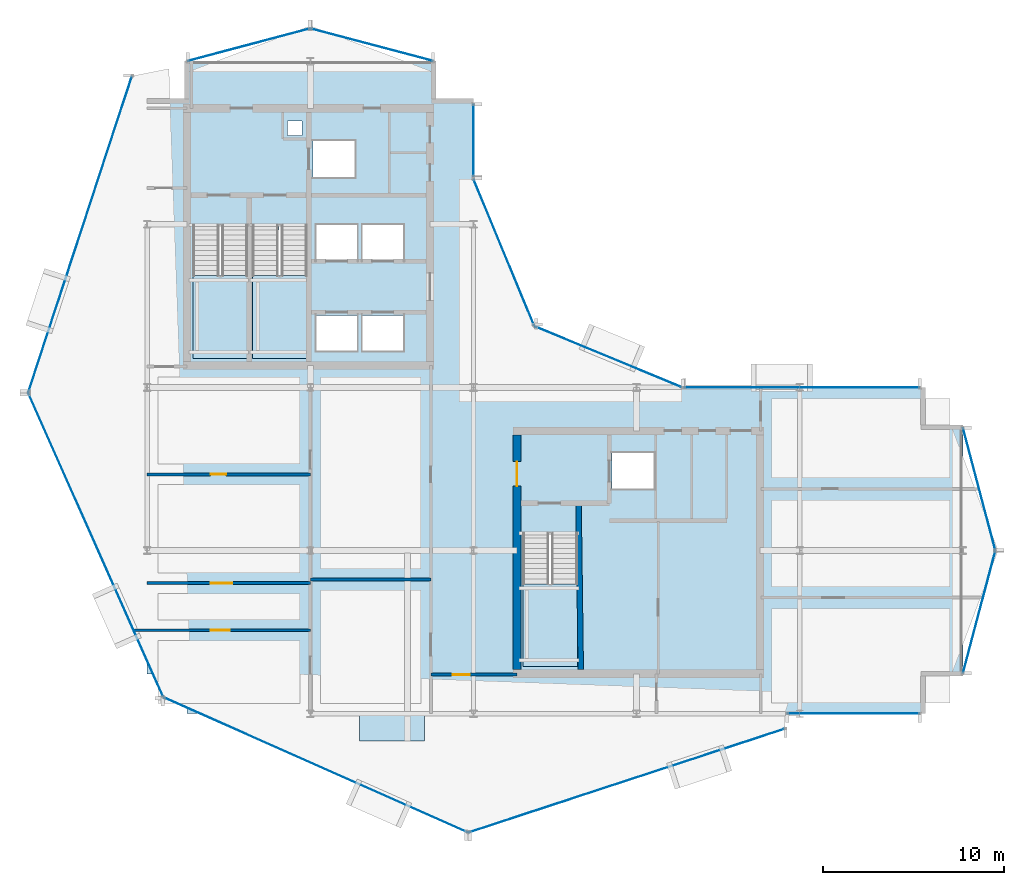
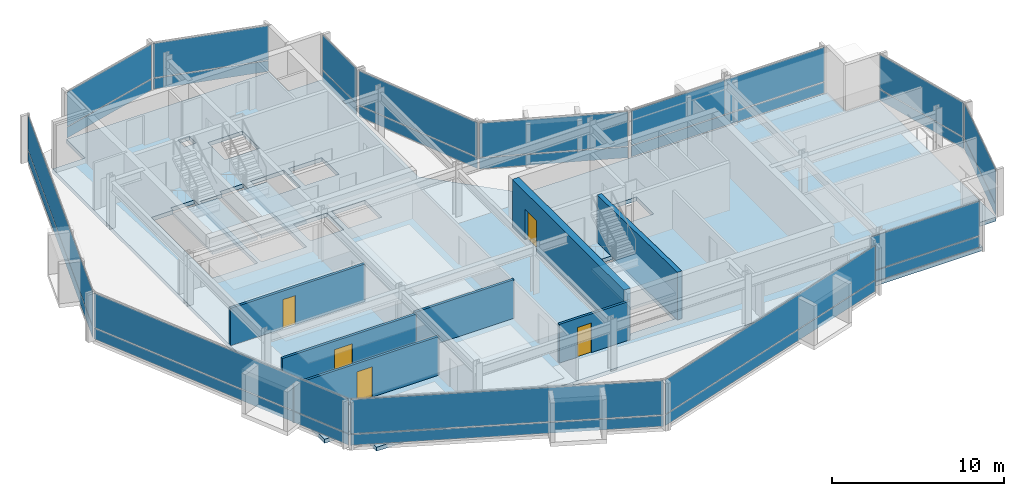
# One storey, part 19 of 27: 26 plates, 7 walls, 5 doors, 5 slabs, 5 openings, 16 elements without a shape of their own.
"""IFC4 building model written with IfcOpenShell, lengths in metres."""

from ifc_helpers import new_model, si_unit, direction, frame, frame_2d, origin, origin_2d, place, context, subcontext, project, spatial, polyline, rectangle, outline, extrude, material, layer, layer_set, type_object, element, fill, aggregate, save


model = new_model("IFC4")

# Units and contexts
model_context = context("Model", 3, precision=1e-05, world=origin(), true_north=direction((0.0, 1.0)))
body_context = subcontext(model_context, "Body", "Model", "MODEL_VIEW")
ifc_project = project(units=[si_unit("LENGTHUNIT", "METRE"), si_unit("AREAUNIT", "SQUARE_METRE"), si_unit("VOLUMEUNIT", "CUBIC_METRE"), si_unit("PLANEANGLEUNIT", "RADIAN"), si_unit("MASSUNIT", "GRAM", prefix="KILO")], contexts=[model_context])

# Site, building, storey
site_placement = place(None, origin())
site = spatial("IfcSite", under=ifc_project, at=site_placement, CompositionType="ELEMENT")
building_placement = place(site_placement, origin())
building = spatial("IfcBuilding", under=site, at=building_placement, Name="Solvaryn Broadcast Tower", CompositionType="ELEMENT")
storey_placement = place(building_placement, frame((0.0, 0.0, 232.10009765625)))
storey = spatial("IfcBuildingStorey", under=building, at=storey_placement, Name="L58", CompositionType="ELEMENT", Elevation=232.10009765625)

# Curtain wall, plates
ifc_material_1 = material(Name="Aluminium and Terracotta Unitised Curtain Wall", Category="masonry")
ifc_layer_1 = layer(ifc_material_1, 0.199951171875)
ifc_layer_set_1 = layer_set([ifc_layer_1], Name="CW-SYS2-LOWMID")
curtain_wall_type_1 = type_object("IfcCurtainWallType", Name="CW-SYS2-LOWMID", PredefinedType="NOTDEFINED", material=ifc_layer_set_1)
curtain_wall_1_placement = place(storey_placement, origin())
curtain_wall_1 = element("IfcCurtainWall", 1, at=curtain_wall_1_placement, inside=storey, type_object=curtain_wall_type_1, Name="L58 Curtain Wall DR1", PredefinedType="NOTDEFINED")
ifc_material_2 = material(Name="Kiln-Fired Architectural Terracotta Spandrel", Category="masonry")
ifc_layer_2 = layer(ifc_material_2, 0.048095703125)
ifc_layer_set_2 = layer_set([ifc_layer_2], Name="CW-PNL-TERRACOTTA")
plate_type = type_object("IfcPlateType", Name="CW-PNL-TERRACOTTA", PredefinedType="CURTAIN_PANEL", material=ifc_layer_set_2)
plate_1_placement = place(storey_placement, frame((5.298095703125, 35.444091796875, 0.06005859375), z_axis=(0.0, 0.0, 1.0), x_axis=(-0.311558717623, -0.950226902099, 0.0)))
plate_1 = element("IfcPlate", 2, at=plate_1_placement, type_object=plate_type, Name="CWS2 panel 1.1", PredefinedType="CURTAIN_PANEL", context=body_context, shape_type="SweptSolid", body=[
    extrude(rectangle(XDim=18.271484375, YDim=0.028076171875, at=origin_2d()), origin(), (0.0, 0.0, 1.0), 0.760009765625),
])
plate_2_placement = place(storey_placement, frame((5.298095703125, 35.444091796875, 0.8798828125), z_axis=(0.0, 0.0, 1.0), x_axis=(-0.311558717623, -0.950226902099, 0.0)))
plate_2 = element("IfcPlate", 3, at=plate_2_placement, type_object=plate_type, Name="CWS2 panel 1.2", PredefinedType="CURTAIN_PANEL", context=body_context, shape_type="SweptSolid", body=[
    extrude(rectangle(XDim=18.271484375, YDim=0.028076171875, at=origin_2d()), origin(), (0.0, 0.0, 1.0), 2.429931640625),
])
aggregate(curtain_wall_1, [plate_1, plate_2])

ifc_material_3 = material(Name="Aluminium and Terracotta Unitised Curtain Wall", Category="masonry")
ifc_layer_3 = layer(ifc_material_3, 0.239990234375)
ifc_layer_set_3 = layer_set([ifc_layer_3], Name="CW-SYS3-BAYBOX")
curtain_wall_type_2 = type_object("IfcCurtainWallType", Name="CW-SYS3-BAYBOX", PredefinedType="NOTDEFINED", material=ifc_layer_set_3)
curtain_wall_2_placement = place(storey_placement, origin())
curtain_wall_2 = element("IfcCurtainWall", 4, at=curtain_wall_2_placement, inside=storey, type_object=curtain_wall_type_2, Name="L58 Curtain Wall DR2", PredefinedType="NOTDEFINED")
plate_3_placement = place(storey_placement, frame((6.16552734375, 18.302001953125, 0.06005859375), z_axis=(0.0, 0.0, 1.0), x_axis=(0.405901337237, -0.913916902365, 0.0)))
plate_3 = element("IfcPlate", 5, at=plate_3_placement, type_object=plate_type, Name="CWS3 panel 1.1", PredefinedType="CURTAIN_PANEL", context=body_context, shape_type="SweptSolid", body=[
    extrude(rectangle(XDim=18.271240234375, YDim=0.028076171875, at=origin_2d()), origin(), (0.0, 0.0, 1.0), 0.760009765625),
])
plate_4_placement = place(storey_placement, frame((6.16552734375, 18.302001953125, 0.8798828125), z_axis=(0.0, 0.0, 1.0), x_axis=(0.405901337237, -0.913916902365, 0.0)))
plate_4 = element("IfcPlate", 6, at=plate_4_placement, type_object=plate_type, Name="CWS3 panel 1.2", PredefinedType="CURTAIN_PANEL", context=body_context, shape_type="SweptSolid", body=[
    extrude(rectangle(XDim=18.271240234375, YDim=0.028076171875, at=origin_2d()), origin(), (0.0, 0.0, 1.0), 2.429931640625),
])
aggregate(curtain_wall_2, [plate_3, plate_4])

curtain_wall_3_placement = place(storey_placement, origin())
curtain_wall_3 = element("IfcCurtainWall", 7, at=curtain_wall_3_placement, inside=storey, type_object=curtain_wall_type_1, Name="L58 Curtain Wall DR3", PredefinedType="NOTDEFINED")
plate_5_placement = place(storey_placement, frame((18.302001953125, 6.16552734375, 0.06005859375), z_axis=(0.0, 0.0, 1.0), x_axis=(0.913916902365, -0.405901337237, 0.0)))
plate_5 = element("IfcPlate", 8, at=plate_5_placement, type_object=plate_type, Name="CWS2 panel 1.1", PredefinedType="CURTAIN_PANEL", context=body_context, shape_type="SweptSolid", body=[
    extrude(rectangle(XDim=18.271240234375, YDim=0.028076171875, at=origin_2d()), origin(), (0.0, 0.0, 1.0), 0.760009765625),
])
plate_6_placement = place(storey_placement, frame((18.302001953125, 6.16552734375, 0.8798828125), z_axis=(0.0, 0.0, 1.0), x_axis=(0.913916902365, -0.405901337237, 0.0)))
plate_6 = element("IfcPlate", 9, at=plate_6_placement, type_object=plate_type, Name="CWS2 panel 1.2", PredefinedType="CURTAIN_PANEL", context=body_context, shape_type="SweptSolid", body=[
    extrude(rectangle(XDim=18.271240234375, YDim=0.028076171875, at=origin_2d()), origin(), (0.0, 0.0, 1.0), 2.429931640625),
])
aggregate(curtain_wall_3, [plate_5, plate_6])

curtain_wall_4_placement = place(storey_placement, origin())
curtain_wall_4 = element("IfcCurtainWall", 10, at=curtain_wall_4_placement, inside=storey, type_object=curtain_wall_type_1, Name="L58 Curtain Wall DR4", PredefinedType="NOTDEFINED")
plate_7_placement = place(storey_placement, frame((35.444091796875, 5.298095703125, 0.06005859375), z_axis=(0.0, 0.0, 1.0), x_axis=(0.950226902099, 0.311558717623, 0.0)))
plate_7 = element("IfcPlate", 11, at=plate_7_placement, type_object=plate_type, Name="CWS2 panel 1.1", PredefinedType="CURTAIN_PANEL", context=body_context, shape_type="SweptSolid", body=[
    extrude(rectangle(XDim=18.271484375, YDim=0.028076171875, at=origin_2d()), origin(), (0.0, 0.0, 1.0), 0.760009765625),
])
plate_8_placement = place(storey_placement, frame((35.444091796875, 5.298095703125, 0.8798828125), z_axis=(0.0, 0.0, 1.0), x_axis=(0.950226902099, 0.311558717623, 0.0)))
plate_8 = element("IfcPlate", 12, at=plate_8_placement, type_object=plate_type, Name="CWS2 panel 1.2", PredefinedType="CURTAIN_PANEL", context=body_context, shape_type="SweptSolid", body=[
    extrude(rectangle(XDim=18.271484375, YDim=0.028076171875, at=origin_2d()), origin(), (0.0, 0.0, 1.0), 2.429931640625),
])
aggregate(curtain_wall_4, [plate_7, plate_8])

curtain_wall_5_placement = place(storey_placement, origin())
curtain_wall_5 = element("IfcCurtainWall", 13, at=curtain_wall_5_placement, inside=storey, type_object=curtain_wall_type_1, Name="L58 Curtain Wall IV", PredefinedType="NOTDEFINED")
plate_9_placement = place(storey_placement, frame((27.0, 40.625, 0.06005859375), z_axis=(0.0, 0.0, 1.0), x_axis=(0.0, -1.0, 0.0)))
plate_9 = element("IfcPlate", 14, at=plate_9_placement, type_object=plate_type, Name="CWS2 panel 1.1", PredefinedType="CURTAIN_PANEL", context=body_context, shape_type="SweptSolid", body=[
    extrude(rectangle(XDim=3.929931640625, YDim=0.028076171875, at=origin_2d()), origin(), (0.0, 0.0, 1.0), 0.760009765625),
])
plate_10_placement = place(storey_placement, frame((27.0, 40.625, 0.8798828125), z_axis=(0.0, 0.0, 1.0), x_axis=(0.0, -1.0, 0.0)))
plate_10 = element("IfcPlate", 15, at=plate_10_placement, type_object=plate_type, Name="CWS2 panel 1.2", PredefinedType="CURTAIN_PANEL", context=body_context, shape_type="SweptSolid", body=[
    extrude(rectangle(XDim=3.929931640625, YDim=0.028076171875, at=origin_2d()), origin(), (0.0, 0.0, 1.0), 2.429931640625),
])
aggregate(curtain_wall_5, [plate_9, plate_10])

curtain_wall_6_placement = place(storey_placement, origin())
curtain_wall_6 = element("IfcCurtainWall", 16, at=curtain_wall_6_placement, inside=storey, type_object=curtain_wall_type_1, Name="L58 Curtain Wall CN1", PredefinedType="NOTDEFINED")
plate_11_placement = place(storey_placement, frame((34.43408203125, 28.68408203125, 0.06005859375), z_axis=(0.0, 0.0, 1.0), x_axis=(-0.923894983957, 0.382646127145, 0.0)))
plate_11 = element("IfcPlate", 17, at=plate_11_placement, type_object=plate_type, Name="CWS2 panel 1.1", PredefinedType="CURTAIN_PANEL", context=body_context, shape_type="SweptSolid", body=[
    extrude(rectangle(XDim=8.681884765625, YDim=0.028076171875, at=origin_2d()), origin(), (0.0, 0.0, 1.0), 0.760009765625),
])
plate_12_placement = place(storey_placement, frame((34.43408203125, 28.68408203125, 0.8798828125), z_axis=(0.0, 0.0, 1.0), x_axis=(-0.923894983957, 0.382646127145, 0.0)))
plate_12 = element("IfcPlate", 18, at=plate_12_placement, type_object=plate_type, Name="CWS2 panel 1.2", PredefinedType="CURTAIN_PANEL", context=body_context, shape_type="SweptSolid", body=[
    extrude(rectangle(XDim=8.681884765625, YDim=0.028076171875, at=origin_2d()), origin(), (0.0, 0.0, 1.0), 2.429931640625),
])
aggregate(curtain_wall_6, [plate_11, plate_12])

curtain_wall_7_placement = place(storey_placement, origin())
curtain_wall_7 = element("IfcCurtainWall", 19, at=curtain_wall_7_placement, inside=storey, type_object=curtain_wall_type_1, Name="L58 Curtain Wall CN2", PredefinedType="NOTDEFINED")
plate_13_placement = place(storey_placement, frame((28.68408203125, 34.43408203125, 0.06005859375), z_axis=(0.0, 0.0, 1.0), x_axis=(-0.382646127145, 0.923894983957, 0.0)))
plate_13 = element("IfcPlate", 20, at=plate_13_placement, type_object=plate_type, Name="CWS2 panel 1.1", PredefinedType="CURTAIN_PANEL", context=body_context, shape_type="SweptSolid", body=[
    extrude(rectangle(XDim=8.681884765625, YDim=0.028076171875, at=origin_2d()), origin(), (0.0, 0.0, 1.0), 0.760009765625),
])
plate_14_placement = place(storey_placement, frame((28.68408203125, 34.43408203125, 0.8798828125), z_axis=(0.0, 0.0, 1.0), x_axis=(-0.382646127145, 0.923894983957, 0.0)))
plate_14 = element("IfcPlate", 21, at=plate_14_placement, type_object=plate_type, Name="CWS2 panel 1.2", PredefinedType="CURTAIN_PANEL", context=body_context, shape_type="SweptSolid", body=[
    extrude(rectangle(XDim=8.681884765625, YDim=0.028076171875, at=origin_2d()), origin(), (0.0, 0.0, 1.0), 2.429931640625),
])
aggregate(curtain_wall_7, [plate_13, plate_14])

curtain_wall_8_placement = place(storey_placement, origin())
curtain_wall_8 = element("IfcCurtainWall", 22, at=curtain_wall_8_placement, inside=storey, type_object=curtain_wall_type_1, Name="L58 Curtain Wall S2", PredefinedType="NOTDEFINED")
plate_15_placement = place(storey_placement, frame((47.966064453125, 9.0, 0.06005859375), z_axis=(0.0, 0.0, 1.0), x_axis=(1.0, 0.0, 0.0)))
plate_15 = element("IfcPlate", 23, at=plate_15_placement, type_object=plate_type, Name="CWS2 panel 1.1", PredefinedType="CURTAIN_PANEL", context=body_context, shape_type="SweptSolid", body=[
    extrude(rectangle(XDim=7.248046875, YDim=0.028076171875, at=origin_2d()), origin(), (0.0, 0.0, 1.0), 0.760009765625),
])
plate_16_placement = place(storey_placement, frame((47.966064453125, 9.0, 0.8798828125), z_axis=(0.0, 0.0, 1.0), x_axis=(1.0, 0.0, 0.0)))
plate_16 = element("IfcPlate", 24, at=plate_16_placement, type_object=plate_type, Name="CWS2 panel 1.2", PredefinedType="CURTAIN_PANEL", context=body_context, shape_type="SweptSolid", body=[
    extrude(rectangle(XDim=7.248046875, YDim=0.028076171875, at=origin_2d()), origin(), (0.0, 0.0, 1.0), 2.429931640625),
])
aggregate(curtain_wall_8, [plate_15, plate_16])

curtain_wall_9_placement = place(storey_placement, origin())
curtain_wall_9 = element("IfcCurtainWall", 25, at=curtain_wall_9_placement, inside=storey, type_object=curtain_wall_type_1, Name="L58 Curtain Wall NT1", PredefinedType="NOTDEFINED")
plate_17_placement = place(storey_placement, frame((21.39990234375, 45.89990234375, 0.06005859375), z_axis=(0.0, 0.0, 1.0), x_axis=(-0.966705227863, 0.25589256031, 0.0)))
plate_17 = element("IfcPlate", 26, at=plate_17_placement, type_object=plate_type, Name="CWS2 panel 1.1", PredefinedType="CURTAIN_PANEL", context=body_context, shape_type="SweptSolid", body=[
    extrude(rectangle(XDim=6.914306640625, YDim=0.028076171875, at=origin_2d()), origin(), (0.0, 0.0, 1.0), 0.760009765625),
])
plate_18_placement = place(storey_placement, frame((21.39990234375, 45.89990234375, 0.8798828125), z_axis=(0.0, 0.0, 1.0), x_axis=(-0.966705227863, 0.25589256031, 0.0)))
plate_18 = element("IfcPlate", 27, at=plate_18_placement, type_object=plate_type, Name="CWS2 panel 1.2", PredefinedType="CURTAIN_PANEL", context=body_context, shape_type="SweptSolid", body=[
    extrude(rectangle(XDim=6.914306640625, YDim=0.028076171875, at=origin_2d()), origin(), (0.0, 0.0, 1.0), 2.429931640625),
])
aggregate(curtain_wall_9, [plate_17, plate_18])

curtain_wall_10_placement = place(storey_placement, origin())
curtain_wall_10 = element("IfcCurtainWall", 28, at=curtain_wall_10_placement, inside=storey, type_object=curtain_wall_type_1, Name="L58 Curtain Wall NT2", PredefinedType="NOTDEFINED")
plate_19_placement = place(storey_placement, frame((14.60009765625, 45.89990234375, 0.06005859375), z_axis=(0.0, 0.0, 1.0), x_axis=(-0.966705227863, -0.25589256031, 0.0)))
plate_19 = element("IfcPlate", 29, at=plate_19_placement, type_object=plate_type, Name="CWS2 panel 1.1", PredefinedType="CURTAIN_PANEL", context=body_context, shape_type="SweptSolid", body=[
    extrude(rectangle(XDim=6.914306640625, YDim=0.028076171875, at=origin_2d()), origin(), (0.0, 0.0, 1.0), 0.760009765625),
])
plate_20_placement = place(storey_placement, frame((14.60009765625, 45.89990234375, 0.8798828125), z_axis=(0.0, 0.0, 1.0), x_axis=(-0.966705227863, -0.25589256031, 0.0)))
plate_20 = element("IfcPlate", 30, at=plate_20_placement, type_object=plate_type, Name="CWS2 panel 1.2", PredefinedType="CURTAIN_PANEL", context=body_context, shape_type="SweptSolid", body=[
    extrude(rectangle(XDim=6.914306640625, YDim=0.028076171875, at=origin_2d()), origin(), (0.0, 0.0, 1.0), 2.429931640625),
])
aggregate(curtain_wall_10, [plate_19, plate_20])

curtain_wall_11_placement = place(storey_placement, origin())
curtain_wall_11 = element("IfcCurtainWall", 31, at=curtain_wall_11_placement, inside=storey, type_object=curtain_wall_type_1, Name="L58 Curtain Wall ET1", PredefinedType="NOTDEFINED")
plate_21_placement = place(storey_placement, frame((54.89990234375, 21.39990234375, 0.06005859375), z_axis=(0.0, 0.0, 1.0), x_axis=(0.25589256031, -0.966705227863, 0.0)))
plate_21 = element("IfcPlate", 32, at=plate_21_placement, type_object=plate_type, Name="CWS2 panel 1.1", PredefinedType="CURTAIN_PANEL", context=body_context, shape_type="SweptSolid", body=[
    extrude(rectangle(XDim=6.914306640625, YDim=0.028076171875, at=origin_2d()), origin(), (0.0, 0.0, 1.0), 0.760009765625),
])
plate_22_placement = place(storey_placement, frame((54.89990234375, 21.39990234375, 0.8798828125), z_axis=(0.0, 0.0, 1.0), x_axis=(0.25589256031, -0.966705227863, 0.0)))
plate_22 = element("IfcPlate", 33, at=plate_22_placement, type_object=plate_type, Name="CWS2 panel 1.2", PredefinedType="CURTAIN_PANEL", context=body_context, shape_type="SweptSolid", body=[
    extrude(rectangle(XDim=6.914306640625, YDim=0.028076171875, at=origin_2d()), origin(), (0.0, 0.0, 1.0), 2.429931640625),
])
aggregate(curtain_wall_11, [plate_21, plate_22])

curtain_wall_12_placement = place(storey_placement, origin())
curtain_wall_12 = element("IfcCurtainWall", 34, at=curtain_wall_12_placement, inside=storey, type_object=curtain_wall_type_1, Name="L58 Curtain Wall ET2", PredefinedType="NOTDEFINED")
plate_23_placement = place(storey_placement, frame((54.89990234375, 14.60009765625, 0.06005859375), z_axis=(0.0, 0.0, 1.0), x_axis=(-0.25589256031, -0.966705227863, 0.0)))
plate_23 = element("IfcPlate", 35, at=plate_23_placement, type_object=plate_type, Name="CWS2 panel 1.1", PredefinedType="CURTAIN_PANEL", context=body_context, shape_type="SweptSolid", body=[
    extrude(rectangle(XDim=6.914306640625, YDim=0.028076171875, at=origin_2d()), origin(), (0.0, 0.0, 1.0), 0.760009765625),
])
plate_24_placement = place(storey_placement, frame((54.89990234375, 14.60009765625, 0.8798828125), z_axis=(0.0, 0.0, 1.0), x_axis=(-0.25589256031, -0.966705227863, 0.0)))
plate_24 = element("IfcPlate", 36, at=plate_24_placement, type_object=plate_type, Name="CWS2 panel 1.2", PredefinedType="CURTAIN_PANEL", context=body_context, shape_type="SweptSolid", body=[
    extrude(rectangle(XDim=6.914306640625, YDim=0.028076171875, at=origin_2d()), origin(), (0.0, 0.0, 1.0), 2.429931640625),
])
aggregate(curtain_wall_12, [plate_23, plate_24])

curtain_wall_13_placement = place(storey_placement, origin())
curtain_wall_13 = element("IfcCurtainWall", 37, at=curtain_wall_13_placement, inside=storey, type_object=curtain_wall_type_1, Name="L58 Curtain Wall IH", PredefinedType="NOTDEFINED")
plate_25_placement = place(storey_placement, frame((45.125, 27.0, 0.06005859375), z_axis=(0.0, 0.0, 1.0), x_axis=(1.0, 0.0, 0.0)))
plate_25 = element("IfcPlate", 38, at=plate_25_placement, type_object=plate_type, Name="CWS2 panel 1.1", PredefinedType="CURTAIN_PANEL", context=body_context, shape_type="SweptSolid", body=[
    extrude(rectangle(XDim=12.929931640625, YDim=0.028076171875, at=origin_2d()), origin(), (0.0, 0.0, 1.0), 0.760009765625),
])
plate_26_placement = place(storey_placement, frame((45.125, 27.0, 0.8798828125), z_axis=(0.0, 0.0, 1.0), x_axis=(1.0, 0.0, 0.0)))
plate_26 = element("IfcPlate", 39, at=plate_26_placement, type_object=plate_type, Name="CWS2 panel 1.2", PredefinedType="CURTAIN_PANEL", context=body_context, shape_type="SweptSolid", body=[
    extrude(rectangle(XDim=12.929931640625, YDim=0.028076171875, at=origin_2d()), origin(), (0.0, 0.0, 1.0), 2.429931640625),
])
aggregate(curtain_wall_13, [plate_25, plate_26])

# Slab
ifc_material_4 = material(Name="Concrete f'c 60 MPa", Category="concrete")
ifc_layer_4 = layer(ifc_material_4, 0.2099609375)
ifc_layer_set_4 = layer_set([ifc_layer_4], Name="SL-BAYBOX-210")
slab_type_1 = type_object("IfcSlabType", Name="SL-BAYBOX-210", PredefinedType="FLOOR", material=ifc_layer_set_4)
slab_1_placement = place(storey_placement, frame((0.0, 0.0, -0.210205078125)))
element("IfcSlab", 40, at=slab_1_placement, inside=storey, type_object=slab_type_1, Name="L58 Projecting Bay-Box Slab 1", PredefinedType="FLOOR", context=body_context, shape_type="SweptSolid", body=[
    extrude(outline(polyline([(20.699951171875, 7.5), (24.300048828125, 7.5), (24.300048828125, 9.0), (20.699951171875, 9.0), (20.699951171875, 7.5)])), origin(), (0.0, 0.0, 1.0), 0.210205078125),
])

# Stair, slab
ifc_material_5 = material(Name="Concrete f'c 60 MPa", Category="concrete")
stair_type = type_object("IfcStairType", Name="ST-CORE", PredefinedType="HALF_TURN_STAIR", material=ifc_material_5)
stair_1_placement = place(storey_placement, origin())
stair_1 = element("IfcStair", 41, at=stair_1_placement, inside=storey, type_object=stair_type, Name="L58 ST1", PredefinedType="HALF_TURN_STAIR")
ifc_material_6 = material(Name="Concrete f'c 60 MPa", Category="concrete")
ifc_layer_5 = layer(ifc_material_6, 0.199951171875)
ifc_layer_set_5 = layer_set([ifc_layer_5], Name="SL-LANDING-200")
slab_type_2 = type_object("IfcSlabType", Name="SL-LANDING-200", PredefinedType="LANDING", material=ifc_layer_set_5)
slab_2_placement = place(storey_placement, frame((0.0, 0.0, 1.64990234375)))
slab_2 = element("IfcSlab", 42, at=slab_2_placement, type_object=slab_type_2, Name="ST1 landing 1", PredefinedType="LANDING", context=body_context, shape_type="SweptSolid", body=[
    extrude(outline(polyline([(11.52001953125, 33.159912109375), (11.52001953125, 28.60009765625), (14.550048828125, 28.60009765625), (14.550048828125, 33.159912109375), (11.52001953125, 33.159912109375)])), origin(), (0.0, 0.0, 1.0), 0.199951171875),
])
aggregate(stair_1, [slab_2])

stair_2_placement = place(storey_placement, origin())
stair_2 = element("IfcStair", 43, at=stair_2_placement, inside=storey, type_object=stair_type, Name="L58 ST2", PredefinedType="HALF_TURN_STAIR")
slab_3_placement = place(storey_placement, frame((0.0, 0.0, 1.64990234375)))
slab_3 = element("IfcSlab", 44, at=slab_3_placement, type_object=slab_type_2, Name="ST2 landing 1", PredefinedType="LANDING", context=body_context, shape_type="SweptSolid", body=[
    extrude(outline(polyline([(14.800048828125, 33.159912109375), (14.800048828125, 28.60009765625), (17.830078125, 28.60009765625), (17.830078125, 33.159912109375), (14.800048828125, 33.159912109375)])), origin(), (0.0, 0.0, 1.0), 0.199951171875),
])
aggregate(stair_2, [slab_3])

stair_3_placement = place(storey_placement, origin())
stair_3 = element("IfcStair", 45, at=stair_3_placement, inside=storey, type_object=stair_type, Name="L58 ST3", PredefinedType="HALF_TURN_STAIR")
slab_4_placement = place(storey_placement, frame((0.0, 0.0, 1.64990234375)))
slab_4 = element("IfcSlab", 46, at=slab_4_placement, type_object=slab_type_2, Name="ST3 landing 1", PredefinedType="LANDING", context=body_context, shape_type="SweptSolid", body=[
    extrude(outline(polyline([(29.719970703125, 16.159912109375), (29.719970703125, 11.60009765625), (32.75, 11.60009765625), (32.75, 16.159912109375), (29.719970703125, 16.159912109375)])), origin(), (0.0, 0.0, 1.0), 0.199951171875),
])
aggregate(stair_3, [slab_4])

# Slab
ifc_material_7 = material(Name="Concrete f'c 60 MPa", Category="concrete")
ifc_layer_6 = layer(ifc_material_7, 0.280029296875)
ifc_layer_set_6 = layer_set([ifc_layer_6], Name="SL-TWR-280")
slab_type_3 = type_object("IfcSlabType", Name="SL-TWR-280", PredefinedType="FLOOR", material=ifc_layer_set_6)
slab_5_placement = place(storey_placement, frame((0.0, 0.0, -0.280029296875)))
element("IfcSlab", 47, at=slab_5_placement, inside=storey, type_object=slab_type_3, Name="L58 Structural Floor Slab", PredefinedType="FLOOR", context=body_context, shape_type="SweptSolid", body=[
    extrude(outline(polyline([(11.199951171875, 9.0), (51.800048828125, 9.0), (51.800048828125, 11.199951171875), (54.0, 11.199951171875), (54.0, 24.800048828125), (51.800048828125, 24.800048828125), (51.800048828125, 27.0), (31.5, 27.0), (27.0, 31.5), (27.0, 42.800048828125), (24.800048828125, 42.800048828125), (24.800048828125, 45.0), (11.199951171875, 45.0), (11.199951171875, 42.800048828125), (9.0, 42.800048828125), (9.0, 11.199951171875), (11.199951171875, 11.199951171875), (11.199951171875, 9.0)]), holes=[polyline([(11.52001953125, 28.60009765625), (14.550048828125, 28.60009765625), (14.550048828125, 35.9599609375), (12.97998046875, 35.9599609375), (12.97998046875, 35.679931640625), (11.52001953125, 35.679931640625), (11.52001953125, 28.60009765625)]), polyline([(14.800048828125, 28.60009765625), (17.830078125, 28.60009765625), (17.830078125, 35.9599609375), (16.260009765625, 35.9599609375), (16.260009765625, 35.679931640625), (14.800048828125, 35.679931640625), (14.800048828125, 28.60009765625)]), polyline([(29.719970703125, 11.60009765625), (32.75, 11.60009765625), (32.75, 18.9599609375), (31.179931640625, 18.9599609375), (31.179931640625, 18.679931640625), (29.719970703125, 18.679931640625), (29.719970703125, 11.60009765625)]), polyline([(18.14990234375, 38.60009765625), (20.449951171875, 38.60009765625), (20.449951171875, 40.60009765625), (18.14990234375, 40.60009765625), (18.14990234375, 38.60009765625)]), polyline([(18.324951171875, 29.02490234375), (20.574951171875, 29.02490234375), (20.574951171875, 30.97509765625), (18.324951171875, 30.97509765625), (18.324951171875, 29.02490234375)]), polyline([(20.875, 29.02490234375), (23.125, 29.02490234375), (23.125, 30.97509765625), (20.875, 30.97509765625), (20.875, 29.02490234375)]), polyline([(18.324951171875, 34.02490234375), (20.574951171875, 34.02490234375), (20.574951171875, 35.97509765625), (18.324951171875, 35.97509765625), (18.324951171875, 34.02490234375)]), polyline([(20.875, 34.02490234375), (23.125, 34.02490234375), (23.125, 35.97509765625), (20.875, 35.97509765625), (20.875, 34.02490234375)]), polyline([(34.64990234375, 21.39990234375), (36.949951171875, 21.39990234375), (36.949951171875, 23.39990234375), (34.64990234375, 23.39990234375), (34.64990234375, 21.39990234375)]), polyline([(16.75, 40.89990234375), (17.550048828125, 40.89990234375), (17.550048828125, 41.699951171875), (16.75, 41.699951171875), (16.75, 40.89990234375)])]), origin(), (0.0, 0.0, 1.0), 0.280029296875),
])

# Wall, opening, door
ifc_material_8 = material(Name="Concrete f'c 70 MPa", Category="concrete")
ifc_layer_7 = layer(ifc_material_8, 0.449951171875)
ifc_layer_set_7 = layer_set([ifc_layer_7], Name="CW-SHEAR-450")
wall_type_1 = type_object("IfcWallType", Name="CW-SHEAR-450", PredefinedType="SHEAR", material=ifc_layer_set_7)
wall_1_placement = place(storey_placement, frame((29.39990234375, 24.375, 0.0), z_axis=(0.0, 0.0, 1.0), x_axis=(0.0, -1.0, 0.0)))
wall_1 = element("IfcWall", 48, at=wall_1_placement, inside=storey, type_object=wall_type_1, Name="L58 East Core West Shear Wall", PredefinedType="SHEAR", context=body_context, shape_type="SweptSolid", body=[
    extrude(rectangle(XDim=12.949951171875, YDim=0.449951171875, at=frame_2d((6.47509765625, 0.0))), origin(), (0.0, 0.0, 1.0), 3.369873046875),
])
opening_1_placement = place(wall_1_placement, frame((1.47509765625, 0.0, 0.0)))
opening_1 = element("IfcOpeningElement", 49, at=opening_1_placement, cuts=wall_1, Name="Opening FD90B", PredefinedType="OPENING", context=body_context, shape_type="SweptSolid", body=[
    extrude(rectangle(XDim=1.35009765625, YDim=2.14990234375, at=frame_2d((0.675048828125, 1.074951171875))), frame((0.0, 0.235107421875, 0.0), z_axis=(0.0, -1.0, 0.0), x_axis=(1.0, 0.0, 0.0)), (0.0, 0.0, 1.0), 0.469970703125),
])
ifc_material_9 = material(Name="Flush Acoustic Steel and Timber Door Assembly", Category="steel")
door_type_1 = type_object("IfcDoorType", Name="FD90-LOBBY-1350X2150", OperationType="NOTDEFINED", PredefinedType="DOOR", material=ifc_material_9)
door_1_placement = place(opening_1_placement, origin())
door_1 = element("IfcDoor", 50, at=door_1_placement, inside=storey, type_object=door_type_1, Name="L58 East FSAE Lobby Door", OperationType="SINGLE_SWING_RIGHT", OverallHeight=2.14990234375, OverallWidth=1.35009765625, PredefinedType="DOOR", context=body_context, shape_type="SweptSolid", body=[
    extrude(rectangle(XDim=1.35009765625, YDim=2.14990234375, at=frame_2d((0.675048828125, 1.074951171875))), frame((0.0, 0.02490234375, 0.0), z_axis=(0.0, -1.0, 0.0), x_axis=(1.0, 0.0, 0.0)), (0.0, 0.0, 1.0), 0.050048828125),
])
fill(opening_1, door_1)

# Wall
ifc_material_10 = material(Name="Metal-Stud Gypsum Office Partition")
ifc_layer_8 = layer(ifc_material_10, 0.159912109375)
ifc_layer_set_8 = layer_set([ifc_layer_8], Name="IW-PART-160")
wall_type_2 = type_object("IfcWallType", Name="IW-PART-160", PredefinedType="PARTITIONING", material=ifc_layer_set_8)
wall_2_placement = place(storey_placement, frame((18.0, 16.39990234375, 0.0), z_axis=(0.0, 0.0, 1.0), x_axis=(1.0, 0.0, 0.0)))
element("IfcWall", 51, at=wall_2_placement, inside=storey, type_object=wall_type_2, Name="L58 Interior Partition IW-L58-SWE-H1", PredefinedType="PARTITIONING", context=body_context, shape_type="SweptSolid", body=[
    extrude(rectangle(XDim=6.64990234375, YDim=0.159912109375, at=frame_2d((3.324951171875, 0.0))), origin(), (0.0, 0.0, 1.0), 2.741943359375),
])

# Wall, opening, door
wall_3_placement = place(storey_placement, frame((8.25390625, 13.60009765625, 0.0), z_axis=(0.0, 0.0, 1.0), x_axis=(1.0, 0.0, 0.0)))
wall_3 = element("IfcWall", 52, at=wall_3_placement, inside=storey, type_object=wall_type_2, Name="L58 Interior Partition IW-L58-SWW-H1", PredefinedType="PARTITIONING", context=body_context, shape_type="SweptSolid", body=[
    extrude(rectangle(XDim=9.74609375, YDim=0.159912109375, at=frame_2d((4.873046875, 0.0))), origin(), (0.0, 0.0, 1.0), 2.741943359375),
])
opening_2_placement = place(wall_3_placement, frame((4.24609375, 0.0, 0.0)))
opening_2 = element("IfcOpeningElement", 53, at=opening_2_placement, cuts=wall_3, Name="Opening ID03", PredefinedType="OPENING", context=body_context, shape_type="SweptSolid", body=[
    extrude(rectangle(XDim=1.050048828125, YDim=2.14990234375, at=frame_2d((0.52490234375, 1.074951171875))), frame((0.0, 0.090087890625, 0.0), z_axis=(0.0, -1.0, 0.0), x_axis=(1.0, 0.0, 0.0)), (0.0, 0.0, 1.0), 0.179931640625),
])
ifc_material_11 = material(Name="Flush Acoustic Steel and Timber Door Assembly", Category="steel")
door_type_2 = type_object("IfcDoorType", Name="ID-03-1050X2150", OperationType="NOTDEFINED", PredefinedType="DOOR", material=ifc_material_11)
door_2_placement = place(opening_2_placement, origin())
door_2 = element("IfcDoor", 54, at=door_2_placement, inside=storey, type_object=door_type_2, Name="L58 Door DR-L58-SWW-1", OperationType="SINGLE_SWING_RIGHT", OverallHeight=2.14990234375, OverallWidth=1.050048828125, PredefinedType="DOOR", context=body_context, shape_type="SweptSolid", body=[
    extrude(rectangle(XDim=1.050048828125, YDim=2.14990234375, at=frame_2d((0.52490234375, 1.074951171875))), frame((0.0, 0.02490234375, 0.0), z_axis=(0.0, -1.0, 0.0), x_axis=(1.0, 0.0, 0.0)), (0.0, 0.0, 1.0), 0.050048828125),
])
fill(opening_2, door_2)

wall_4_placement = place(storey_placement, frame((9.0, 16.199951171875, 0.0), z_axis=(0.0, 0.0, 1.0), x_axis=(1.0, 0.0, 0.0)))
wall_4 = element("IfcWall", 55, at=wall_4_placement, inside=storey, type_object=wall_type_2, Name="L58 Interior Partition IW-L58-SWW-H2", PredefinedType="PARTITIONING", context=body_context, shape_type="SweptSolid", body=[
    extrude(rectangle(XDim=9.0, YDim=0.159912109375, at=frame_2d((4.5, 0.0))), origin(), (0.0, 0.0, 1.0), 2.741943359375),
])
opening_3_placement = place(wall_4_placement, frame((3.5, 0.0, 0.0)))
opening_3 = element("IfcOpeningElement", 56, at=opening_3_placement, cuts=wall_4, Name="Opening ID04", PredefinedType="OPENING", context=body_context, shape_type="SweptSolid", body=[
    extrude(rectangle(XDim=1.199951171875, YDim=2.14990234375, at=frame_2d((0.60009765625, 1.074951171875))), frame((0.0, 0.090087890625, 0.0), z_axis=(0.0, -1.0, 0.0), x_axis=(1.0, 0.0, 0.0)), (0.0, 0.0, 1.0), 0.179931640625),
])
ifc_material_12 = material(Name="Flush Acoustic Steel and Timber Door Assembly", Category="steel")
door_type_3 = type_object("IfcDoorType", Name="ID-04-1200X2150", OperationType="NOTDEFINED", PredefinedType="DOOR", material=ifc_material_12)
door_3_placement = place(opening_3_placement, origin())
door_3 = element("IfcDoor", 57, at=door_3_placement, inside=storey, type_object=door_type_3, Name="L58 Door DR-L58-SWW-2", OperationType="SINGLE_SWING_LEFT", OverallHeight=2.14990234375, OverallWidth=1.199951171875, PredefinedType="DOOR", context=body_context, shape_type="SweptSolid", body=[
    extrude(rectangle(XDim=1.199951171875, YDim=2.14990234375, at=frame_2d((0.60009765625, 1.074951171875))), frame((0.0, 0.02490234375, 0.0), z_axis=(0.0, -1.0, 0.0), x_axis=(1.0, 0.0, 0.0)), (0.0, 0.0, 1.0), 0.050048828125),
])
fill(opening_3, door_3)

wall_5_placement = place(storey_placement, frame((9.0, 22.199951171875, 0.0), z_axis=(0.0, 0.0, 1.0), x_axis=(1.0, 0.0, 0.0)))
wall_5 = element("IfcWall", 58, at=wall_5_placement, inside=storey, type_object=wall_type_2, Name="L58 Interior Partition IW-L58-SWW-H3", PredefinedType="PARTITIONING", context=body_context, shape_type="SweptSolid", body=[
    extrude(rectangle(XDim=9.0, YDim=0.159912109375, at=frame_2d((4.5, 0.0))), origin(), (0.0, 0.0, 1.0), 2.656982421875),
])
opening_4_placement = place(wall_5_placement, frame((3.5, 0.0, 0.0)))
opening_4 = element("IfcOpeningElement", 59, at=opening_4_placement, cuts=wall_5, Name="Opening ID07", PredefinedType="OPENING", context=body_context, shape_type="SweptSolid", body=[
    extrude(rectangle(XDim=0.860107421875, YDim=2.050048828125, at=frame_2d((0.43017578125, 1.02490234375))), frame((0.0, 0.090087890625, 0.0), z_axis=(0.0, -1.0, 0.0), x_axis=(1.0, 0.0, 0.0)), (0.0, 0.0, 1.0), 0.179931640625),
])
ifc_material_13 = material(Name="Flush Acoustic Steel and Timber Door Assembly", Category="steel")
door_type_4 = type_object("IfcDoorType", Name="ID-07-860X2050", OperationType="NOTDEFINED", PredefinedType="DOOR", material=ifc_material_13)
door_4_placement = place(opening_4_placement, origin())
door_4 = element("IfcDoor", 60, at=door_4_placement, inside=storey, type_object=door_type_4, Name="L58 Door DR-L58-SWW-3", OperationType="SINGLE_SWING_RIGHT", OverallHeight=2.050048828125, OverallWidth=0.860107421875, PredefinedType="DOOR", context=body_context, shape_type="SweptSolid", body=[
    extrude(rectangle(XDim=0.860107421875, YDim=2.050048828125, at=frame_2d((0.43017578125, 1.02490234375))), frame((0.0, 0.02490234375, 0.0), z_axis=(0.0, -1.0, 0.0), x_axis=(1.0, 0.0, 0.0)), (0.0, 0.0, 1.0), 0.050048828125),
])
fill(opening_4, door_4)

wall_6_placement = place(storey_placement, frame((24.64990234375, 11.14990234375, 0.0), z_axis=(0.0, 0.0, 1.0), x_axis=(1.0, 0.0, 0.0)))
wall_6 = element("IfcWall", 61, at=wall_6_placement, inside=storey, type_object=wall_type_2, Name="L58 Interior Partition IW-L58-SC-N", PredefinedType="PARTITIONING", context=body_context, shape_type="SweptSolid", body=[
    extrude(rectangle(XDim=4.75, YDim=0.159912109375, at=frame_2d((2.375, 0.0))), origin(), (0.0, 0.0, 1.0), 2.741943359375),
])
opening_5_placement = place(wall_6_placement, frame((1.199951171875, 0.0, 0.0)))
opening_5 = element("IfcOpeningElement", 62, at=opening_5_placement, cuts=wall_6, Name="Opening ID01", PredefinedType="OPENING", context=body_context, shape_type="SweptSolid", body=[
    extrude(rectangle(XDim=0.949951171875, YDim=2.10009765625, at=frame_2d((0.47509765625, 1.050048828125))), frame((0.0, 0.090087890625, 0.0), z_axis=(0.0, -1.0, 0.0), x_axis=(1.0, 0.0, 0.0)), (0.0, 0.0, 1.0), 0.179931640625),
])
ifc_material_14 = material(Name="Flush Acoustic Steel and Timber Door Assembly", Category="steel")
door_type_5 = type_object("IfcDoorType", Name="ID-01-950X2100", OperationType="NOTDEFINED", PredefinedType="DOOR", material=ifc_material_14)
door_5_placement = place(opening_5_placement, origin())
door_5 = element("IfcDoor", 63, at=door_5_placement, inside=storey, type_object=door_type_5, Name="L58 Door DR-L58-SC0", OperationType="SINGLE_SWING_LEFT", OverallHeight=2.10009765625, OverallWidth=0.949951171875, PredefinedType="DOOR", context=body_context, shape_type="SweptSolid", body=[
    extrude(rectangle(XDim=0.949951171875, YDim=2.10009765625, at=frame_2d((0.47509765625, 1.050048828125))), frame((0.0, 0.02490234375, 0.0), z_axis=(0.0, -1.0, 0.0), x_axis=(1.0, 0.0, 0.0)), (0.0, 0.0, 1.0), 0.050048828125),
])
fill(opening_5, door_5)

# Wall
ifc_material_15 = material(Name="Concrete f'c 70 MPa", Category="concrete")
ifc_layer_9 = layer(ifc_material_15, 0.300048828125)
ifc_layer_set_9 = layer_set([ifc_layer_9], Name="SW-SHAFT-300")
wall_type_3 = type_object("IfcWallType", Name="SW-SHAFT-300", PredefinedType="SHEAR", material=ifc_layer_set_9)
wall_7_placement = place(storey_placement, frame((32.919921875, 11.425048828125, 0.0), z_axis=(0.0, 0.0, 1.0), x_axis=(-0.013135638869, 0.999913723774, 0.0)))
element("IfcWall", 64, at=wall_7_placement, inside=storey, type_object=wall_type_3, Name="L58 Stair 3 East Shear Wall", PredefinedType="SHEAR", context=body_context, shape_type="SweptSolid", body=[
    extrude(rectangle(XDim=9.125732421875, YDim=0.300048828125, at=frame_2d((4.56298828125, 0.0))), origin(), (0.0, 0.0, 1.0), 3.369873046875),
])

save(model, "model.ifc")
